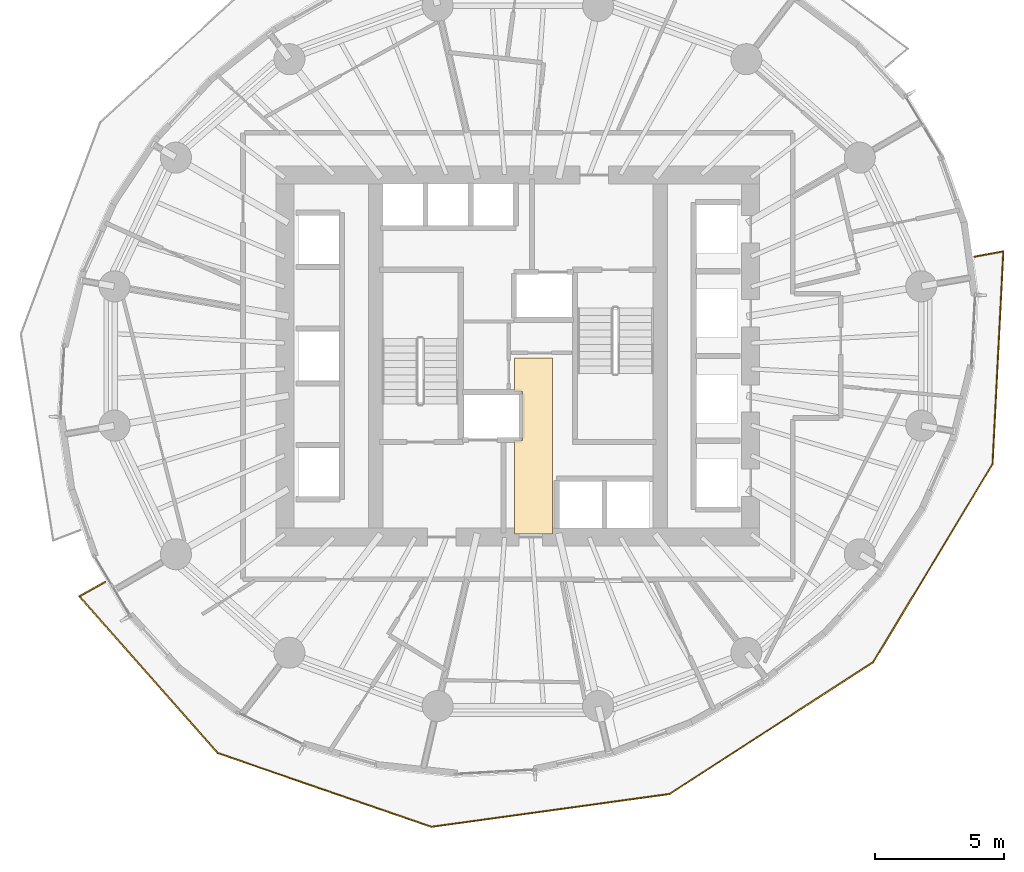
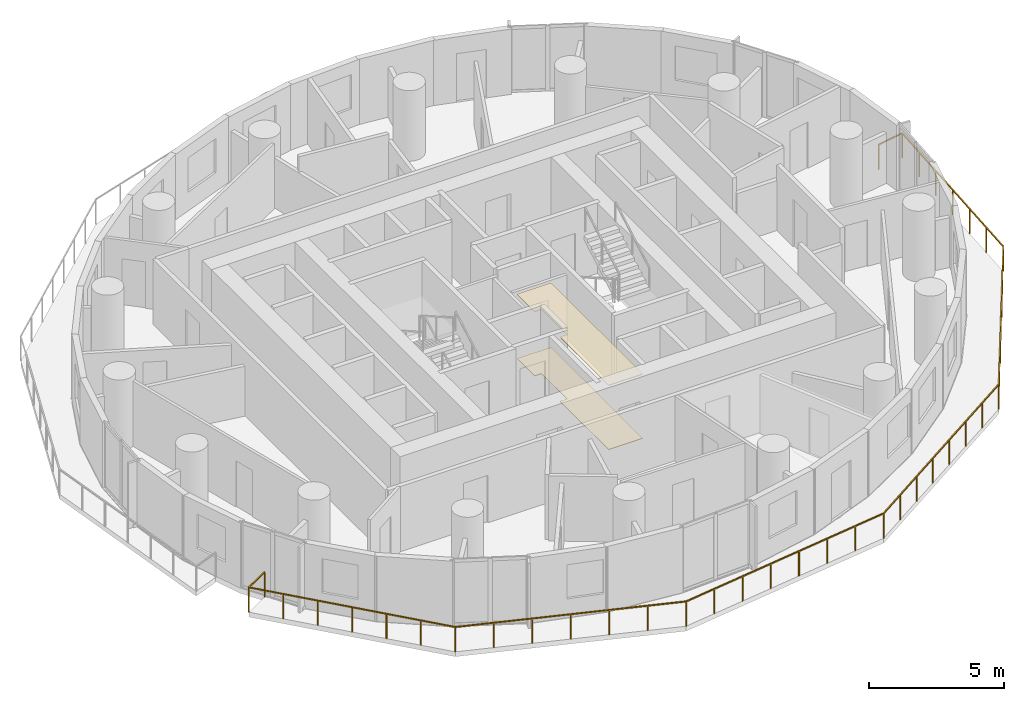
# One storey, part 12 of 15: 2 coverings, 1 railing.
"""IFC4 building model written with IfcOpenShell, lengths in metres."""

from ifc_helpers import new_model, si_unit, direction, frame, origin, origin_2d, place, context, subcontext, project, spatial, polyline, rectangle, outline, extrude, material, layer, layer_set, type_object, element, save


model = new_model("IFC4")

# Units and contexts
model_context = context("Model", 3, precision=1e-05, world=origin(), true_north=direction((0.0, 1.0)))
body_context = subcontext(model_context, "Body", "Model", "MODEL_VIEW")
ifc_project = project(units=[si_unit("LENGTHUNIT", "METRE"), si_unit("AREAUNIT", "SQUARE_METRE"), si_unit("VOLUMEUNIT", "CUBIC_METRE"), si_unit("PLANEANGLEUNIT", "RADIAN"), si_unit("MASSUNIT", "GRAM", prefix="KILO")], contexts=[model_context])

# Site, building, storey
site_placement = place(None, origin())
site = spatial("IfcSite", under=ifc_project, at=site_placement, CompositionType="ELEMENT")
building_placement = place(site_placement, origin())
building = spatial("IfcBuilding", under=site, at=building_placement, Name="Veldorim Arch Residences", CompositionType="ELEMENT")
storey_placement = place(building_placement, frame((0.0, 0.0, 102.8798828125)))
storey = spatial("IfcBuildingStorey", under=building, at=storey_placement, Name="L30", CompositionType="ELEMENT", Elevation=102.8798828125)

# Railing
ifc_material_1 = material(Name="Aluminium", Category="aluminium")
railing_type = type_object("IfcRailingType", Name="Balcony & Terrace Laminated Glass Balustrade 1150", PredefinedType="BALUSTRADE", material=ifc_material_1)
railing_placement = place(storey_placement, frame((16.044677734375, 15.26708984375, 0.0)))
element("IfcRailing", 1, at=railing_placement, inside=storey, type_object=railing_type, Name="L30 crescent balcony safety balustrade B", PredefinedType="BALUSTRADE", context=body_context, shape_type="SweptSolid", body=[
    extrude(rectangle(XDim=0.048095703125, YDim=0.048095703125, at=origin_2d()), frame((0.0, 0.0, 1.1259765625), z_axis=(-0.8727918725, -0.488092560175, 0.0), x_axis=(0.488092560175, -0.8727918725, 0.0)), (0.0, 0.0, 1.0), 1.14990234375),
    extrude(rectangle(XDim=0.048095703125, YDim=0.048095703125, at=origin_2d()), frame((-1.003662109375, -0.561279296875, 1.1259765625), z_axis=(0.662402646485, -0.749148005356, 0.0), x_axis=(0.749148005356, 0.662402646485, 0.0)), (0.0, 0.0, 1.0), 8.091552734375),
    extrude(rectangle(XDim=0.048095703125, YDim=0.048095703125, at=origin_2d()), frame((4.356201171875, -6.623046875, 1.1259765625), z_axis=(0.945191617252, -0.326516166026, 0.0), x_axis=(0.326516166026, 0.945191617252, 0.0)), (0.0, 0.0, 1.0), 8.7333984375),
    extrude(rectangle(XDim=0.048095703125, YDim=0.048095703125, at=origin_2d()), frame((12.61083984375, -9.474609375, 1.1259765625), z_axis=(0.990610826647, 0.136712070167, 0.0), x_axis=(-0.136712070167, 0.990610826647, 0.0)), (0.0, 0.0, 1.0), 9.293212890625),
    extrude(rectangle(XDim=0.048095703125, YDim=0.048095703125, at=origin_2d()), frame((21.81689453125, -8.2041015625, 1.1259765625), z_axis=(0.839537351056, 0.543301975131, 0.0), x_axis=(-0.543301975131, 0.839537351056, 0.0)), (0.0, 0.0, 1.0), 9.384521484375),
    extrude(rectangle(XDim=0.048095703125, YDim=0.048095703125, at=origin_2d()), frame((29.695556640625, -3.10546875, 1.1259765625), z_axis=(0.516189857319, 0.856474185951, 0.0), x_axis=(-0.856474185951, 0.516189857319, 0.0)), (0.0, 0.0, 1.0), 8.938232421875),
    extrude(rectangle(XDim=0.048095703125, YDim=0.048095703125, at=origin_2d()), frame((34.309326171875, 4.5498046875, 1.1259765625), z_axis=(0.050669143885, 0.998715493951, 0.0), x_axis=(-0.998715493951, 0.050669143885, 0.0)), (0.0, 0.0, 1.0), 8.2392578125),
    extrude(rectangle(XDim=0.048095703125, YDim=0.048095703125, at=origin_2d()), frame((34.726806640625, 12.778564453125, 1.1259765625), z_axis=(-0.983583328079, -0.180454528139, 0.0), x_axis=(0.180454528139, -0.983583328079, 0.0)), (0.0, 0.0, 1.0), 1.14990234375),
    extrude(rectangle(XDim=0.0419921875, YDim=0.0419921875, at=origin_2d()), origin(), (0.0, 0.0, 1.0), 1.101806640625),
    extrude(rectangle(XDim=0.0419921875, YDim=0.0419921875, at=origin_2d()), frame((-1.003662109375, -0.561279296875, 0.0)), (0.0, 0.0, 1.0), 1.101806640625),
    extrude(rectangle(XDim=0.0419921875, YDim=0.0419921875, at=origin_2d()), frame((-0.1103515625, -1.571533203125, 0.0)), (0.0, 0.0, 1.0), 1.101806640625),
    extrude(rectangle(XDim=0.0419921875, YDim=0.0419921875, at=origin_2d()), frame((0.782958984375, -2.581787109375, 0.0)), (0.0, 0.0, 1.0), 1.101806640625),
    extrude(rectangle(XDim=0.0419921875, YDim=0.0419921875, at=origin_2d()), frame((1.67626953125, -3.59228515625, 0.0)), (0.0, 0.0, 1.0), 1.101806640625),
    extrude(rectangle(XDim=0.0419921875, YDim=0.0419921875, at=origin_2d()), frame((2.569580078125, -4.6025390625, 0.0)), (0.0, 0.0, 1.0), 1.101806640625),
    extrude(rectangle(XDim=0.0419921875, YDim=0.0419921875, at=origin_2d()), frame((3.462890625, -5.61279296875, 0.0)), (0.0, 0.0, 1.0), 1.101806640625),
    extrude(rectangle(XDim=0.0419921875, YDim=0.0419921875, at=origin_2d()), frame((4.356201171875, -6.623046875, 0.0)), (0.0, 0.0, 1.0), 1.101806640625),
    extrude(rectangle(XDim=0.0419921875, YDim=0.0419921875, at=origin_2d()), frame((5.73193359375, -7.098388671875, 0.0)), (0.0, 0.0, 1.0), 1.101806640625),
    extrude(rectangle(XDim=0.0419921875, YDim=0.0419921875, at=origin_2d()), frame((7.107666015625, -7.573486328125, 0.0)), (0.0, 0.0, 1.0), 1.101806640625),
    extrude(rectangle(XDim=0.0419921875, YDim=0.0419921875, at=origin_2d()), frame((8.4833984375, -8.048828125, 0.0)), (0.0, 0.0, 1.0), 1.101806640625),
    extrude(rectangle(XDim=0.0419921875, YDim=0.0419921875, at=origin_2d()), frame((9.859375, -8.524169921875, 0.0)), (0.0, 0.0, 1.0), 1.101806640625),
    extrude(rectangle(XDim=0.0419921875, YDim=0.0419921875, at=origin_2d()), frame((11.235107421875, -8.999267578125, 0.0)), (0.0, 0.0, 1.0), 1.101806640625),
    extrude(rectangle(XDim=0.0419921875, YDim=0.0419921875, at=origin_2d()), frame((12.61083984375, -9.474609375, 0.0)), (0.0, 0.0, 1.0), 1.101806640625),
    extrude(rectangle(XDim=0.0419921875, YDim=0.0419921875, at=origin_2d()), frame((13.926025390625, -9.293212890625, 0.0)), (0.0, 0.0, 1.0), 1.101806640625),
    extrude(rectangle(XDim=0.0419921875, YDim=0.0419921875, at=origin_2d()), frame((15.2412109375, -9.111572265625, 0.0)), (0.0, 0.0, 1.0), 1.101806640625),
    extrude(rectangle(XDim=0.0419921875, YDim=0.0419921875, at=origin_2d()), frame((16.556396484375, -8.93017578125, 0.0)), (0.0, 0.0, 1.0), 1.101806640625),
    extrude(rectangle(XDim=0.0419921875, YDim=0.0419921875, at=origin_2d()), frame((17.871337890625, -8.74853515625, 0.0)), (0.0, 0.0, 1.0), 1.101806640625),
    extrude(rectangle(XDim=0.0419921875, YDim=0.0419921875, at=origin_2d()), frame((19.1865234375, -8.567138671875, 0.0)), (0.0, 0.0, 1.0), 1.101806640625),
    extrude(rectangle(XDim=0.0419921875, YDim=0.0419921875, at=origin_2d()), frame((20.501708984375, -8.385498046875, 0.0)), (0.0, 0.0, 1.0), 1.101806640625),
    extrude(rectangle(XDim=0.0419921875, YDim=0.0419921875, at=origin_2d()), frame((21.81689453125, -8.2041015625, 0.0)), (0.0, 0.0, 1.0), 1.101806640625),
    extrude(rectangle(XDim=0.0419921875, YDim=0.0419921875, at=origin_2d()), frame((22.9423828125, -7.475830078125, 0.0)), (0.0, 0.0, 1.0), 1.101806640625),
    extrude(rectangle(XDim=0.0419921875, YDim=0.0419921875, at=origin_2d()), frame((24.06787109375, -6.747314453125, 0.0)), (0.0, 0.0, 1.0), 1.101806640625),
    extrude(rectangle(XDim=0.0419921875, YDim=0.0419921875, at=origin_2d()), frame((25.193359375, -6.01904296875, 0.0)), (0.0, 0.0, 1.0), 1.101806640625),
    extrude(rectangle(XDim=0.0419921875, YDim=0.0419921875, at=origin_2d()), frame((26.319091796875, -5.29052734375, 0.0)), (0.0, 0.0, 1.0), 1.101806640625),
    extrude(rectangle(XDim=0.0419921875, YDim=0.0419921875, at=origin_2d()), frame((27.444580078125, -4.562255859375, 0.0)), (0.0, 0.0, 1.0), 1.101806640625),
    extrude(rectangle(XDim=0.0419921875, YDim=0.0419921875, at=origin_2d()), frame((28.570068359375, -3.833740234375, 0.0)), (0.0, 0.0, 1.0), 1.101806640625),
    extrude(rectangle(XDim=0.0419921875, YDim=0.0419921875, at=origin_2d()), frame((29.695556640625, -3.10546875, 0.0)), (0.0, 0.0, 1.0), 1.101806640625),
    extrude(rectangle(XDim=0.0419921875, YDim=0.0419921875, at=origin_2d()), frame((30.464599609375, -1.82958984375, 0.0)), (0.0, 0.0, 1.0), 1.101806640625),
    extrude(rectangle(XDim=0.0419921875, YDim=0.0419921875, at=origin_2d()), frame((31.2333984375, -0.5537109375, 0.0)), (0.0, 0.0, 1.0), 1.101806640625),
    extrude(rectangle(XDim=0.0419921875, YDim=0.0419921875, at=origin_2d()), frame((32.00244140625, 0.72216796875, 0.0)), (0.0, 0.0, 1.0), 1.101806640625),
    extrude(rectangle(XDim=0.0419921875, YDim=0.0419921875, at=origin_2d()), frame((32.771484375, 1.998046875, 0.0)), (0.0, 0.0, 1.0), 1.101806640625),
    extrude(rectangle(XDim=0.0419921875, YDim=0.0419921875, at=origin_2d()), frame((33.540283203125, 3.27392578125, 0.0)), (0.0, 0.0, 1.0), 1.101806640625),
    extrude(rectangle(XDim=0.0419921875, YDim=0.0419921875, at=origin_2d()), frame((34.309326171875, 4.5498046875, 0.0)), (0.0, 0.0, 1.0), 1.101806640625),
    extrude(rectangle(XDim=0.0419921875, YDim=0.0419921875, at=origin_2d()), frame((34.37890625, 5.92138671875, 0.0)), (0.0, 0.0, 1.0), 1.101806640625),
    extrude(rectangle(XDim=0.0419921875, YDim=0.0419921875, at=origin_2d()), frame((34.448486328125, 7.292724609375, 0.0)), (0.0, 0.0, 1.0), 1.101806640625),
    extrude(rectangle(XDim=0.0419921875, YDim=0.0419921875, at=origin_2d()), frame((34.51806640625, 8.6640625, 0.0)), (0.0, 0.0, 1.0), 1.101806640625),
    extrude(rectangle(XDim=0.0419921875, YDim=0.0419921875, at=origin_2d()), frame((34.587646484375, 10.03564453125, 0.0)), (0.0, 0.0, 1.0), 1.101806640625),
    extrude(rectangle(XDim=0.0419921875, YDim=0.0419921875, at=origin_2d()), frame((34.6572265625, 11.4072265625, 0.0)), (0.0, 0.0, 1.0), 1.101806640625),
    extrude(rectangle(XDim=0.0419921875, YDim=0.0419921875, at=origin_2d()), frame((34.726806640625, 12.778564453125, 0.0)), (0.0, 0.0, 1.0), 1.101806640625),
    extrude(rectangle(XDim=0.0419921875, YDim=0.0419921875, at=origin_2d()), frame((33.595703125, 12.571044921875, 0.0)), (0.0, 0.0, 1.0), 1.101806640625),
])

# Coverings
ifc_material_2 = material(Name="Acoustic Gypsum & Mineral Fibre", Category="gypsum")
ifc_layer_1 = layer(ifc_material_2, 0.034912109375, Name="Perforated Acoustic Mineral-Fibre Ceiling 35")
ifc_layer_set_1 = layer_set([ifc_layer_1], Name="Acoustic Gypsum & Mineral Fibre")
covering_type_1 = type_object("IfcCoveringType", Name="Perforated Acoustic Mineral-Fibre Ceiling 35", PredefinedType="CEILING", material=ifc_layer_set_1)
covering_1_placement = place(storey_placement, frame((0.0, 0.0, 2.905029296875)))
element("IfcCovering", 2, at=covering_1_placement, inside=storey, type_object=covering_type_1, Name="L30 acoustic suspended ceiling 01", PredefinedType="CEILING", context=body_context, shape_type="SweptSolid", body=[
    extrude(outline(polyline([(33.330078125, 23.929931640625), (33.330078125, 17.1201171875), (31.8701171875, 17.1201171875), (31.8701171875, 20.735107421875), (32.169921875, 20.735107421875), (32.169921875, 22.625), (31.8701171875, 22.625), (31.8701171875, 23.929931640625), (33.330078125, 23.929931640625)])), origin(), (0.0, 0.0, 1.0), 0.03515625),
])
ifc_material_3 = material(Name="Porcelain Ceramic Tile", Category="ceramic")
ifc_layer_2 = layer(ifc_material_3, 0.02001953125, Name="Slip-Resistant Porcelain & Vinyl Floor Finish 20")
ifc_layer_set_2 = layer_set([ifc_layer_2], Name="Porcelain Ceramic Tile")
covering_type_2 = type_object("IfcCoveringType", Name="Slip-Resistant Porcelain & Vinyl Floor Finish 20", PredefinedType="FLOORING", material=ifc_layer_set_2)
covering_2_placement = place(storey_placement, origin())
element("IfcCovering", 3, at=covering_2_placement, inside=storey, type_object=covering_type_2, Name="L30 porcelain floor finish 01", PredefinedType="FLOORING", context=body_context, shape_type="SweptSolid", body=[
    extrude(outline(polyline([(33.330078125, 23.929931640625), (33.330078125, 17.1201171875), (31.8701171875, 17.1201171875), (31.8701171875, 20.735107421875), (32.169921875, 20.735107421875), (32.169921875, 22.625), (31.8701171875, 22.625), (31.8701171875, 23.929931640625), (33.330078125, 23.929931640625)])), origin(), (0.0, 0.0, 1.0), 0.02001953125),
])

save(model, "model.ifc")
